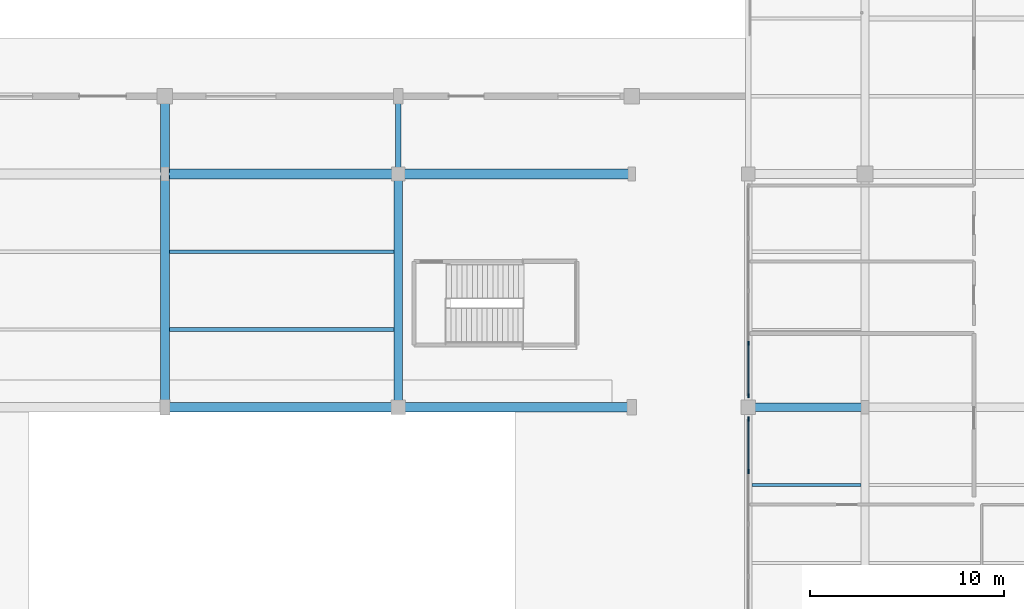
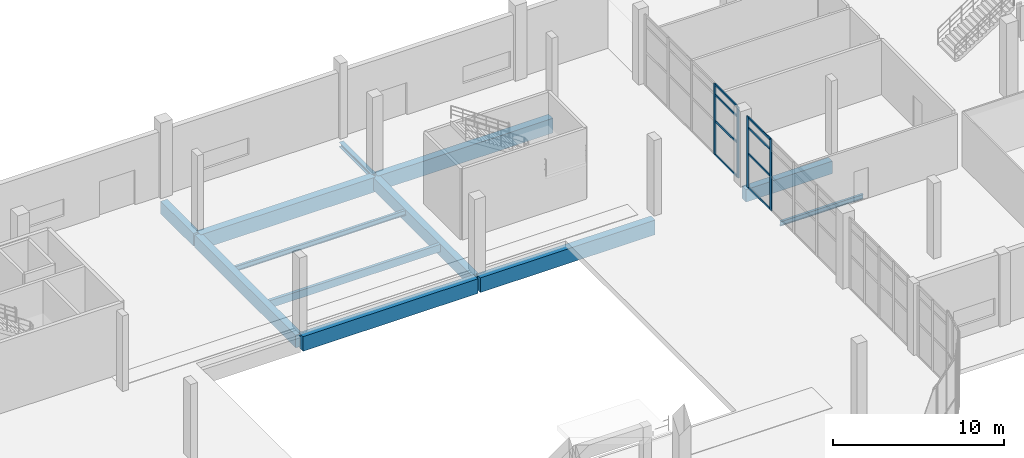
# One storey, part 34 of 85: 12 beams, 12 members, 2 elements without a shape of their own.
"""IFC4 building model written with IfcOpenShell, lengths in metres."""

from ifc_helpers import new_model, si_unit, direction, frame, origin, origin_2d, place, context, subcontext, project, spatial, rectangle, i_section, extrude, material, material_profile, profile_set, type_object, element, aggregate, save


model = new_model("IFC4")

# Units and contexts
model_context = context("Model", 3, precision=1e-05, world=origin(), true_north=direction((0.0, 1.0)))
body_context = subcontext(model_context, "Body", "Model", "MODEL_VIEW")
ifc_project = project(units=[si_unit("LENGTHUNIT", "METRE"), si_unit("AREAUNIT", "SQUARE_METRE"), si_unit("VOLUMEUNIT", "CUBIC_METRE"), si_unit("PLANEANGLEUNIT", "RADIAN"), si_unit("MASSUNIT", "GRAM", prefix="KILO"), si_unit("THERMODYNAMICTEMPERATUREUNIT", "KELVIN"), si_unit("POWERUNIT", "WATT")], contexts=[model_context])

# Site, building, storey
site_placement = place(None, origin())
site = spatial("IfcSite", under=ifc_project, at=site_placement, CompositionType="ELEMENT")
building_placement = place(site_placement, origin())
building = spatial("IfcBuilding", under=site, at=building_placement, Name="Solmara Park Aquatics Centre", CompositionType="ELEMENT")
storey_placement = place(building_placement, origin())
storey = spatial("IfcBuildingStorey", under=building, at=storey_placement, Name="L00", CompositionType="ELEMENT", Elevation=0.0)

# Curtain wall, members
ifc_material_1 = material(Name="Anodised Aluminium Curtain Wall Framing", Category="aluminium")
curtain_wall_type = type_object("IfcCurtainWallType", Name="ARC-CW-SYS02", PredefinedType="USERDEFINED", material=ifc_material_1)
curtain_wall_1_placement = place(storey_placement, origin())
curtain_wall_1 = element("IfcCurtainWall", 1, at=curtain_wall_1_placement, inside=storey, type_object=curtain_wall_type, Name="Curtain Wall CW-077", ObjectType="CURTAIN WALL", PredefinedType="USERDEFINED")
ifc_material_2 = material(Name="Anodised Aluminium Alloy 6063-T6", Category="aluminium")
ifc_material_profile_1 = material_profile(ifc_material_2, rectangle(XDim=0.074951171875, YDim=0.219970703125, at=origin_2d()), Name="ALU MULLION 75x220")
ifc_profile_set_1 = profile_set([ifc_material_profile_1], Name="Anodised Aluminium Alloy 6063-T6")
member_type_1 = type_object("IfcMemberType", Name="ARC-CWM-75x220", PredefinedType="MULLION", material=ifc_profile_set_1)
member_1_placement = place(storey_placement, frame((162.0, 33.300048828125, 0.0), z_axis=(0.0, 0.0, 1.0), x_axis=(1.0, 0.0, 0.0)))
member_1 = element("IfcMember", 2, at=member_1_placement, type_object=member_type_1, Name="CW-077 mullion 4", PredefinedType="MULLION", context=body_context, shape_type="SweptSolid", body=[
    extrude(rectangle(XDim=0.074951171875, YDim=0.219970703125, at=origin_2d()), origin(), (0.0, 0.0, 1.0), 5.080078125),
])
member_2_placement = place(storey_placement, frame((162.0, 36.0, 0.0), z_axis=(0.0, 0.0, 1.0), x_axis=(1.0, 0.0, 0.0)))
member_2 = element("IfcMember", 3, at=member_2_placement, type_object=member_type_1, Name="CW-077 mullion 5", PredefinedType="MULLION", context=body_context, shape_type="SweptSolid", body=[
    extrude(rectangle(XDim=0.074951171875, YDim=0.219970703125, at=origin_2d()), origin(), (0.0, 0.0, 1.0), 5.080078125),
])

curtain_wall_2_placement = place(storey_placement, origin())
curtain_wall_2 = element("IfcCurtainWall", 4, at=curtain_wall_2_placement, inside=storey, type_object=curtain_wall_type, Name="Curtain Wall CW-080", ObjectType="CURTAIN WALL", PredefinedType="USERDEFINED")
member_3_placement = place(storey_placement, frame((162.0, 37.199951171875, 0.0), z_axis=(0.0, 0.0, 1.0), x_axis=(1.0, 0.0, 0.0)))
member_3 = element("IfcMember", 5, at=member_3_placement, type_object=member_type_1, Name="CW-080 mullion 1", PredefinedType="MULLION", context=body_context, shape_type="SweptSolid", body=[
    extrude(rectangle(XDim=0.074951171875, YDim=0.219970703125, at=origin_2d()), origin(), (0.0, 0.0, 1.0), 5.080078125),
])
member_4_placement = place(storey_placement, frame((162.0, 39.89990234375, 0.0), z_axis=(0.0, 0.0, 1.0), x_axis=(1.0, 0.0, 0.0)))
member_4 = element("IfcMember", 6, at=member_4_placement, type_object=member_type_1, Name="CW-080 mullion 2", PredefinedType="MULLION", context=body_context, shape_type="SweptSolid", body=[
    extrude(rectangle(XDim=0.074951171875, YDim=0.219970703125, at=origin_2d()), origin(), (0.0, 0.0, 1.0), 5.080078125),
])

# Member
ifc_material_profile_2 = material_profile(ifc_material_2, rectangle(XDim=0.074951171875, YDim=0.14990234375, at=origin_2d()), Name="ALU TRANSOM 75x150")
ifc_profile_set_2 = profile_set([ifc_material_profile_2], Name="Anodised Aluminium Alloy 6063-T6")
member_type_2 = type_object("IfcMemberType", Name="ARC-CWT-75x150", PredefinedType="USERDEFINED", material=ifc_profile_set_2)
member_5_placement = place(storey_placement, frame((162.0, 33.320068359375, 0.0400390625), z_axis=(0.0, 1.0, 0.0), x_axis=(-1.0, 0.0, 0.0)))
member_5 = element("IfcMember", 7, at=member_5_placement, type_object=member_type_2, Name="CW-077 transom 13", ObjectType="TRANSOM", PredefinedType="USERDEFINED", context=body_context, shape_type="SweptSolid", body=[
    extrude(rectangle(XDim=0.074951171875, YDim=0.14990234375, at=origin_2d()), origin(), (0.0, 0.0, 1.0), 2.619873046875),
])

member_6_placement = place(storey_placement, frame((162.0, 33.320068359375, 2.449951171875), z_axis=(0.0, 1.0, 0.0), x_axis=(-1.0, 0.0, 0.0)))
member_6 = element("IfcMember", 8, at=member_6_placement, type_object=member_type_2, Name="CW-077 transom 14", ObjectType="TRANSOM", PredefinedType="USERDEFINED", context=body_context, shape_type="SweptSolid", body=[
    extrude(rectangle(XDim=0.074951171875, YDim=0.14990234375, at=origin_2d()), origin(), (0.0, 0.0, 1.0), 2.619873046875),
])

member_7_placement = place(storey_placement, frame((162.0, 33.320068359375, 4.330078125), z_axis=(0.0, 1.0, 0.0), x_axis=(-1.0, 0.0, 0.0)))
member_7 = element("IfcMember", 9, at=member_7_placement, type_object=member_type_2, Name="CW-077 transom 15", ObjectType="TRANSOM", PredefinedType="USERDEFINED", context=body_context, shape_type="SweptSolid", body=[
    extrude(rectangle(XDim=0.074951171875, YDim=0.14990234375, at=origin_2d()), origin(), (0.0, 0.0, 1.0), 2.619873046875),
])

member_8_placement = place(storey_placement, frame((162.0, 33.320068359375, 5.0400390625), z_axis=(0.0, 1.0, 0.0), x_axis=(-1.0, 0.0, 0.0)))
member_8 = element("IfcMember", 10, at=member_8_placement, type_object=member_type_2, Name="CW-077 transom 16", ObjectType="TRANSOM", PredefinedType="USERDEFINED", context=body_context, shape_type="SweptSolid", body=[
    extrude(rectangle(XDim=0.074951171875, YDim=0.14990234375, at=origin_2d()), origin(), (0.0, 0.0, 1.0), 2.619873046875),
])

aggregate(curtain_wall_1, [member_1, member_2, member_5, member_6, member_7, member_8])

member_9_placement = place(storey_placement, frame((162.0, 37.219970703125, 0.0400390625), z_axis=(0.0, 1.0, 0.0), x_axis=(-1.0, 0.0, 0.0)))
member_9 = element("IfcMember", 11, at=member_9_placement, type_object=member_type_2, Name="CW-080 transom 1", ObjectType="TRANSOM", PredefinedType="USERDEFINED", context=body_context, shape_type="SweptSolid", body=[
    extrude(rectangle(XDim=0.074951171875, YDim=0.14990234375, at=origin_2d()), origin(), (0.0, 0.0, 1.0), 2.6201171875),
])

member_10_placement = place(storey_placement, frame((162.0, 37.219970703125, 2.449951171875), z_axis=(0.0, 1.0, 0.0), x_axis=(-1.0, 0.0, 0.0)))
member_10 = element("IfcMember", 12, at=member_10_placement, type_object=member_type_2, Name="CW-080 transom 2", ObjectType="TRANSOM", PredefinedType="USERDEFINED", context=body_context, shape_type="SweptSolid", body=[
    extrude(rectangle(XDim=0.074951171875, YDim=0.14990234375, at=origin_2d()), origin(), (0.0, 0.0, 1.0), 2.6201171875),
])

member_11_placement = place(storey_placement, frame((162.0, 37.219970703125, 4.330078125), z_axis=(0.0, 1.0, 0.0), x_axis=(-1.0, 0.0, 0.0)))
member_11 = element("IfcMember", 13, at=member_11_placement, type_object=member_type_2, Name="CW-080 transom 3", ObjectType="TRANSOM", PredefinedType="USERDEFINED", context=body_context, shape_type="SweptSolid", body=[
    extrude(rectangle(XDim=0.074951171875, YDim=0.14990234375, at=origin_2d()), origin(), (0.0, 0.0, 1.0), 2.6201171875),
])

member_12_placement = place(storey_placement, frame((162.0, 37.219970703125, 5.0400390625), z_axis=(0.0, 1.0, 0.0), x_axis=(-1.0, 0.0, 0.0)))
member_12 = element("IfcMember", 14, at=member_12_placement, type_object=member_type_2, Name="CW-080 transom 4", ObjectType="TRANSOM", PredefinedType="USERDEFINED", context=body_context, shape_type="SweptSolid", body=[
    extrude(rectangle(XDim=0.074951171875, YDim=0.14990234375, at=origin_2d()), origin(), (0.0, 0.0, 1.0), 2.6201171875),
])

aggregate(curtain_wall_2, [member_3, member_4, member_9, member_10, member_11, member_12])

# Beams
ifc_material_3 = material(Name="Structural Steel S355", Category="steel")
ifc_material_profile_3 = material_profile(ifc_material_3, i_section(OverallWidth=0.300048828125, OverallDepth=0.330078125, WebThickness=0.009521484375, FlangeThickness=0.0166015625, FilletRadius=0.027099609375, at=origin_2d()), Name="HEA 340")
ifc_profile_set_3 = profile_set([ifc_material_profile_3], Name="Structural Steel S355")
beam_type_1 = type_object("IfcBeamType", Name="STR-BM-HEA340", PredefinedType="BEAM", material=ifc_profile_set_3)
beam_1_placement = place(storey_placement, frame((144.0, 48.679931640625, -0.5849609375), z_axis=(0.0, 1.0, 0.0), x_axis=(-1.0, 0.0, 0.0)))
element("IfcBeam", 15, at=beam_1_placement, inside=storey, type_object=beam_type_1, Name="Girder BM-L00-0049", PredefinedType="BEAM", context=body_context, shape_type="SweptSolid", body=[
    extrude(i_section(OverallWidth=0.300048828125, OverallDepth=0.330078125, WebThickness=0.009521484375, FlangeThickness=0.0166015625, FilletRadius=0.027099609375, at=origin_2d()), origin(), (0.0, 0.0, 1.0), 3.840087890625),
])
ifc_material_4 = material(Name="Concrete C40/50", Category="concrete")
ifc_material_profile_4 = material_profile(ifc_material_4, rectangle(XDim=0.449951171875, YDim=0.89990234375, at=origin_2d()), Name="RC 450x900")
ifc_profile_set_4 = profile_set([ifc_material_profile_4], Name="Concrete C40/50")
beam_type_2 = type_object("IfcBeamType", Name="STR-BM-RC450x900", PredefinedType="BEAM", material=ifc_profile_set_4)
beam_2_placement = place(storey_placement, frame((132.0, 36.679931640625, -0.8701171875), z_axis=(0.0, 1.0, 0.0), x_axis=(-1.0, 0.0, 0.0)))
element("IfcBeam", 16, at=beam_2_placement, inside=storey, type_object=beam_type_2, Name="Girder BM-L00-0046", PredefinedType="BEAM", context=body_context, shape_type="SweptSolid", body=[
    extrude(rectangle(XDim=0.449951171875, YDim=0.89990234375, at=origin_2d()), origin(), (0.0, 0.0, 1.0), 11.840087890625),
])
beam_3_placement = place(storey_placement, frame((132.0, 48.679931640625, -0.8701171875), z_axis=(0.0, 1.0, 0.0), x_axis=(-1.0, 0.0, 0.0)))
element("IfcBeam", 17, at=beam_3_placement, inside=storey, type_object=beam_type_2, Name="Girder BM-L00-0047", PredefinedType="BEAM", context=body_context, shape_type="SweptSolid", body=[
    extrude(rectangle(XDim=0.449951171875, YDim=0.89990234375, at=origin_2d()), origin(), (0.0, 0.0, 1.0), 3.840087890625),
])
beam_4_placement = place(storey_placement, frame((144.0, 36.679931640625, -0.8701171875), z_axis=(0.0, 1.0, 0.0), x_axis=(-1.0, 0.0, 0.0)))
element("IfcBeam", 18, at=beam_4_placement, inside=storey, type_object=beam_type_2, Name="Girder BM-L00-0048", PredefinedType="BEAM", context=body_context, shape_type="SweptSolid", body=[
    extrude(rectangle(XDim=0.449951171875, YDim=0.89990234375, at=origin_2d()), origin(), (0.0, 0.0, 1.0), 11.840087890625),
])
beam_5_placement = place(storey_placement, frame((162.080078125, 36.60009765625, -0.8701171875), z_axis=(1.0, 0.0, 0.0), x_axis=(0.0, 1.0, 0.0)))
element("IfcBeam", 19, at=beam_5_placement, inside=storey, type_object=beam_type_2, Name="Girder BM-L00-0058", PredefinedType="BEAM", context=body_context, shape_type="SweptSolid", body=[
    extrude(rectangle(XDim=0.449951171875, YDim=0.89990234375, at=origin_2d()), origin(), (0.0, 0.0, 1.0), 5.83984375),
])
ifc_material_profile_5 = material_profile(ifc_material_4, rectangle(XDim=0.5, YDim=1.050048828125, at=origin_2d()), Name="RC 500x1050")
ifc_profile_set_5 = profile_set([ifc_material_profile_5], Name="Concrete C40/50")
beam_type_3 = type_object("IfcBeamType", Name="STR-BM-RC500x1050", PredefinedType="BEAM", material=ifc_profile_set_5)
for number, where, z_axis, x_axis, name in (
    (20, (132.080078125, 36.60009765625, -0.945068359375), (1.0, 0.0, 0.0), (0.0, 1.0, 0.0), "Girder BM-L00-0034"),
    (21, (144.080078125, 36.60009765625, -0.945068359375), (1.0, 0.0, 0.0), (0.0, 1.0, 0.0), "Girder BM-L00-0035"),
    (22, (132.080078125, 48.60009765625, -0.945068359375), (1.0, 0.0, 0.0), (0.0, 1.0, 0.0), "Girder BM-L00-0039"),
    (23, (144.080078125, 48.60009765625, -0.945068359375), (1.0, 0.0, 0.0), (0.0, 1.0, 0.0), "Girder BM-L00-0040"),
):
    element("IfcBeam", number, at=place(storey_placement, frame(where, z_axis=z_axis, x_axis=x_axis)), inside=storey, type_object=beam_type_3, Name=name, PredefinedType="BEAM", context=body_context, shape_type="SweptSolid", body=[
        extrude(rectangle(XDim=0.5, YDim=1.050048828125, at=origin_2d()), origin(), (0.0, 0.0, 1.0), 11.83984375),
    ])
ifc_material_5 = material(Name="Glulam Timber GL28h", Category="wood")
ifc_material_profile_6 = material_profile(ifc_material_5, rectangle(XDim=0.199951171875, YDim=0.5400390625, at=origin_2d()), Name="GL28h 200x540")
ifc_profile_set_6 = profile_set([ifc_material_profile_6], Name="Glulam Timber GL28h")
beam_type_4 = type_object("IfcBeamType", Name="STR-JST-GL200x540", PredefinedType="JOIST", material=ifc_profile_set_6)
beam_6_placement = place(storey_placement, frame((132.22509765625, 40.60009765625, -0.68994140625), z_axis=(1.0, 0.0, 0.0), x_axis=(0.0, 1.0, 0.0)))
element("IfcBeam", 24, at=beam_6_placement, inside=storey, type_object=beam_type_4, Name="Floor Joist JST-L00-0024", PredefinedType="JOIST", context=body_context, shape_type="SweptSolid", body=[
    extrude(rectangle(XDim=0.199951171875, YDim=0.5400390625, at=origin_2d()), origin(), (0.0, 0.0, 1.0), 11.5498046875),
])
ifc_material_profile_7 = material_profile(ifc_material_3, i_section(OverallWidth=0.159912109375, OverallDepth=0.330078125, WebThickness=0.007568359375, FlangeThickness=0.011474609375, FilletRadius=0.01806640625, at=origin_2d()), Name="IPE 330")
ifc_profile_set_7 = profile_set([ifc_material_profile_7], Name="Structural Steel S355")
beam_type_5 = type_object("IfcBeamType", Name="STR-JST-IPE330", PredefinedType="JOIST", material=ifc_profile_set_7)
beam_7_placement = place(storey_placement, frame((162.199951171875, 32.60009765625, -0.5849609375), z_axis=(1.0, 0.0, 0.0), x_axis=(0.0, 1.0, 0.0)))
element("IfcBeam", 25, at=beam_7_placement, inside=storey, type_object=beam_type_5, Name="Floor Joist JST-L00-0028", PredefinedType="JOIST", context=body_context, shape_type="SweptSolid", body=[
    extrude(i_section(OverallWidth=0.159912109375, OverallDepth=0.330078125, WebThickness=0.007568359375, FlangeThickness=0.011474609375, FilletRadius=0.01806640625, at=origin_2d()), origin(), (0.0, 0.0, 1.0), 5.60009765625),
])
ifc_material_profile_8 = material_profile(ifc_material_3, i_section(OverallWidth=0.169921875, OverallDepth=0.360107421875, WebThickness=0.008056640625, FlangeThickness=0.0126953125, FilletRadius=0.01806640625, at=origin_2d()), Name="IPE 360")
ifc_profile_set_8 = profile_set([ifc_material_profile_8], Name="Structural Steel S355")
beam_type_6 = type_object("IfcBeamType", Name="STR-JST-IPE360", PredefinedType="JOIST", material=ifc_profile_set_8)
beam_8_placement = place(storey_placement, frame((132.22509765625, 44.60009765625, -0.60009765625), z_axis=(1.0, 0.0, 0.0), x_axis=(0.0, 1.0, 0.0)))
element("IfcBeam", 26, at=beam_8_placement, inside=storey, type_object=beam_type_6, Name="Floor Joist JST-L00-0025", PredefinedType="JOIST", context=body_context, shape_type="SweptSolid", body=[
    extrude(i_section(OverallWidth=0.169921875, OverallDepth=0.360107421875, WebThickness=0.008056640625, FlangeThickness=0.0126953125, FilletRadius=0.01806640625, at=origin_2d()), origin(), (0.0, 0.0, 1.0), 11.5498046875),
])

save(model, "model.ifc")
